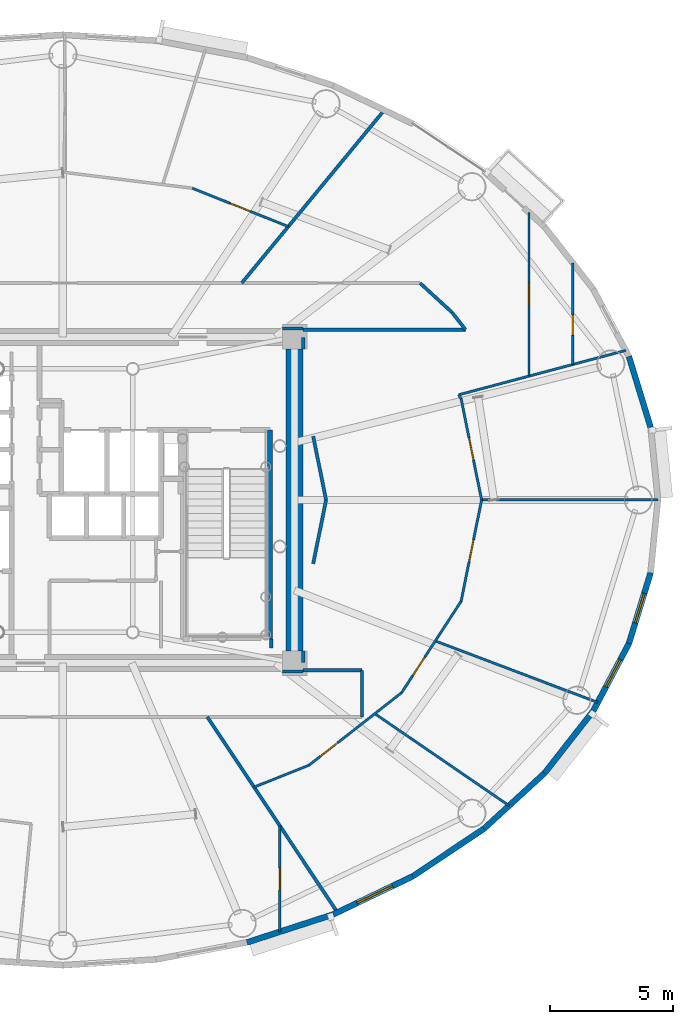
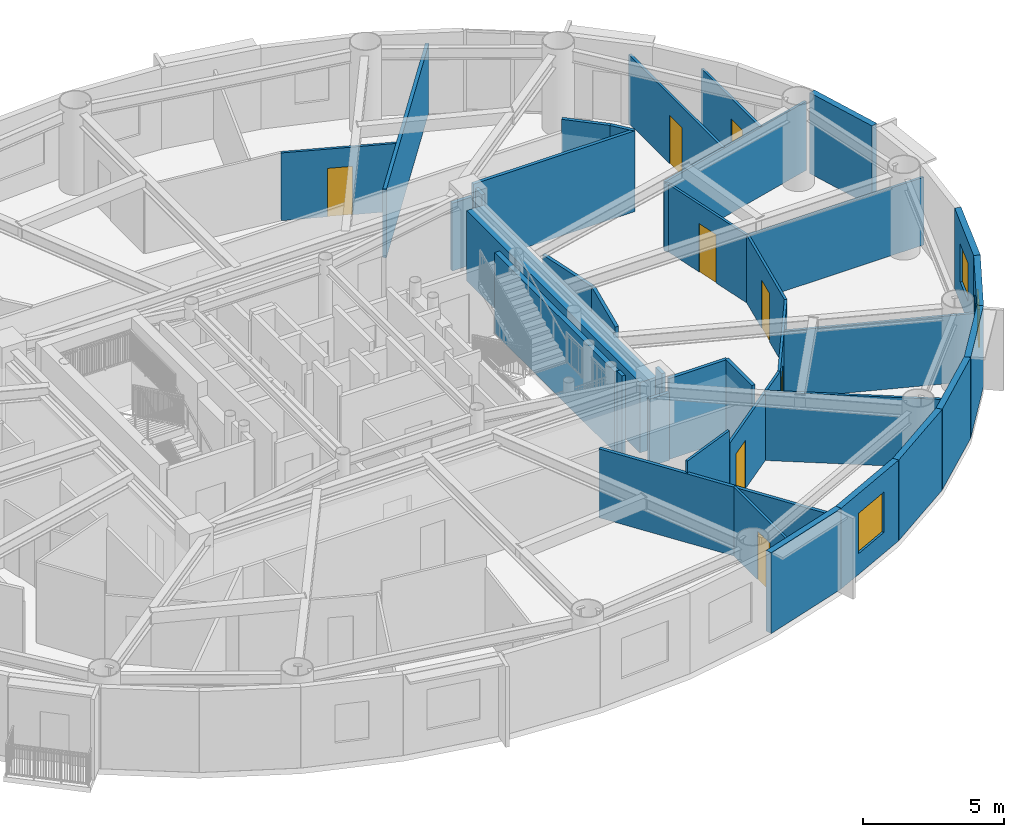
# One storey, part 11 of 19: 38 walls, 8 doors, 3 windows, 11 openings.
"""IFC4 building model written with IfcOpenShell, lengths in metres."""

from ifc_helpers import new_model, si_unit, direction, frame, frame_2d, origin, origin_2d, place, context, subcontext, project, spatial, rectangle, extrude, source, transform, mapped, material, layer, layer_set, type_object, element, fill, save


model = new_model("IFC4")

# Units and contexts
model_context = context("Model", 3, precision=1e-05, world=origin(), true_north=direction((0.0, 1.0)))
body_context = subcontext(model_context, "Body", "Model", "MODEL_VIEW")
ifc_project = project(units=[si_unit("LENGTHUNIT", "METRE"), si_unit("AREAUNIT", "SQUARE_METRE"), si_unit("VOLUMEUNIT", "CUBIC_METRE"), si_unit("PLANEANGLEUNIT", "RADIAN"), si_unit("MASSUNIT", "GRAM", prefix="KILO")], contexts=[model_context])

# Site, building, storey
site_placement = place(None, origin())
site = spatial("IfcSite", under=ifc_project, at=site_placement, CompositionType="ELEMENT")
building_placement = place(site_placement, origin())
building = spatial("IfcBuilding", under=site, at=building_placement, Name="Linh Dai School and Residence Tower", CompositionType="ELEMENT")
storey_placement = place(building_placement, frame((0.0, 0.0, 247.800048828125)))
storey = spatial("IfcBuildingStorey", under=building, at=storey_placement, Name="L61", CompositionType="ELEMENT", Elevation=247.800048828125)

# Walls
ifc_material_1 = material(Name="Precast Concrete B45 (C35/45)", Category="concrete")
ifc_layer_1 = layer(ifc_material_1, 0.239990234375)
ifc_layer_set_1 = layer_set([ifc_layer_1], Name="Precast Concrete B45 (C35/45)")
wall_type_1 = type_object("IfcWallType", Name="EW-TC-240", PredefinedType="SOLIDWALL", material=ifc_layer_set_1)
wall_1_placement = place(storey_placement, frame((59.09033203125, 32.85595703125, 0.0), z_axis=(0.0, 0.0, 1.0), x_axis=(0.293132907334, -0.95607170162, 0.0)))
element("IfcWall", 1, at=wall_1_placement, inside=storey, type_object=wall_type_1, Name="L61 Terracotta Exterior Wall 02", PredefinedType="SOLIDWALL", context=body_context, shape_type="SweptSolid", body=[
    extrude(rectangle(XDim=3.02490234375, YDim=0.239990234375, at=frame_2d((1.512451171875, 0.0))), origin(), (0.0, 0.0, 1.0), 3.5),
])
wall_2_placement = place(storey_placement, frame((47.031005859375, 10.093505859375, 0.0), z_axis=(0.0, 0.0, 1.0), x_axis=(-0.951210789182, -0.308541787354, 0.0)))
element("IfcWall", 2, at=wall_2_placement, inside=storey, type_object=wall_type_1, Name="L61 Terracotta Exterior Wall 33", PredefinedType="SOLIDWALL", context=body_context, shape_type="SweptSolid", body=[
    extrude(rectangle(XDim=3.702392578125, YDim=0.239990234375, at=frame_2d((1.85107421875, 0.0))), origin(), (0.0, 0.0, 1.0), 3.5),
])

# Wall, opening, window
wall_3_placement = place(storey_placement, frame((50.280029296875, 11.65234375, 0.0), z_axis=(0.0, 0.0, 1.0), x_axis=(-0.901598104751, -0.432574684313, 0.0)))
wall_3 = element("IfcWall", 3, at=wall_3_placement, inside=storey, type_object=wall_type_1, Name="L61 Terracotta Exterior Wall 34", PredefinedType="SOLIDWALL", context=body_context, shape_type="SweptSolid", body=[
    extrude(rectangle(XDim=3.603515625, YDim=0.239990234375, at=frame_2d((1.8017578125, 0.0))), origin(), (0.0, 0.0, 1.0), 3.5),
])
opening_1_placement = place(wall_3_placement, frame((0.9208984375, 0.0, 0.89990234375)))
opening_1 = element("IfcOpeningElement", 4, at=opening_1_placement, cuts=wall_3, Name="Opening W2", PredefinedType="OPENING", context=body_context, shape_type="SweptSolid", body=[
    extrude(rectangle(XDim=1.60009765625, YDim=1.75, at=origin_2d()), frame((0.800048828125, 0.1298828125, 0.875), z_axis=(0.0, -1.0, 0.0), x_axis=(1.0, 0.0, 0.0)), (0.0, 0.0, 1.0), 0.260009765625),
])
ifc_material_2 = material(Name="Double Low-E Insulated Glazing", Category="glass")
window_type_1 = type_object("IfcWindowType", Name="WN-RES-1600x1750", PartitioningType="DOUBLE_PANEL_VERTICAL", PredefinedType="WINDOW", material=ifc_material_2)
shared_shape_1 = source(origin(), body_context, "Body", "SweptSolid", [
    extrude(rectangle(XDim=1.60009765625, YDim=1.75, at=origin_2d()), frame((0.800048828125, 0.030029296875, 0.875), z_axis=(0.0, -1.0, 0.0), x_axis=(1.0, 0.0, 0.0)), (0.0, 0.0, 1.0), 0.06005859375),
])
window_1_placement = place(opening_1_placement, origin())
window_1 = element("IfcWindow", 5, at=window_1_placement, inside=storey, type_object=window_type_1, Name="L61 Exterior Window 34.1", OverallHeight=1.75, OverallWidth=1.60009765625, PartitioningType="DOUBLE_PANEL_VERTICAL", PredefinedType="WINDOW", context=body_context, shape_type="MappedRepresentation", body=[
    mapped(shared_shape_1, transform((0.0, 0.0, 0.0), x_axis=(1.0, 0.0, 0.0), y_axis=(0.0, 1.0, 0.0), z_axis=(0.0, 0.0, 1.0), scale=1.0)),
])
fill(opening_1, window_1)

# Walls
wall_4_placement = place(storey_placement, frame((53.17626953125, 13.589111328125, 0.0), z_axis=(0.0, 0.0, 1.0), x_axis=(-0.831262496074, -0.555880079352, 0.0)))
element("IfcWall", 6, at=wall_4_placement, inside=storey, type_object=wall_type_1, Name="L61 Terracotta Exterior Wall 35", PredefinedType="SOLIDWALL", context=body_context, shape_type="SweptSolid", body=[
    extrude(rectangle(XDim=3.484130859375, YDim=0.239990234375, at=frame_2d((1.7421875, 0.0))), origin(), (0.0, 0.0, 1.0), 3.5),
])
wall_5_placement = place(storey_placement, frame((55.6484375, 15.85546875, 0.0), z_axis=(0.0, 0.0, 1.0), x_axis=(-0.737123922599, -0.675757591694, 0.0)))
element("IfcWall", 7, at=wall_5_placement, inside=storey, type_object=wall_type_1, Name="L61 Terracotta Exterior Wall 36", PredefinedType="SOLIDWALL", context=body_context, shape_type="SweptSolid", body=[
    extrude(rectangle(XDim=3.353759765625, YDim=0.239990234375, at=frame_2d((1.6767578125, 0.0))), origin(), (0.0, 0.0, 1.0), 3.5),
])
wall_6_placement = place(storey_placement, frame((57.6357421875, 18.394775390625, 0.0), z_axis=(0.0, 0.0, 1.0), x_axis=(-0.616312344705, -0.787501805562, 0.0)))
element("IfcWall", 8, at=wall_6_placement, inside=storey, type_object=wall_type_1, Name="L61 Terracotta Exterior Wall 37", PredefinedType="SOLIDWALL", context=body_context, shape_type="SweptSolid", body=[
    extrude(rectangle(XDim=3.224609375, YDim=0.239990234375, at=frame_2d((1.6123046875, 0.0))), origin(), (0.0, 0.0, 1.0), 3.5),
])

# Wall, opening, window
wall_7_placement = place(storey_placement, frame((59.09033203125, 21.14404296875, 0.0), z_axis=(0.0, 0.0, 1.0), x_axis=(-0.46766049993, -0.883908172157, 0.0)))
wall_7 = element("IfcWall", 9, at=wall_7_placement, inside=storey, type_object=wall_type_1, Name="L61 Terracotta Exterior Wall 38", PredefinedType="SOLIDWALL", context=body_context, shape_type="SweptSolid", body=[
    extrude(rectangle(XDim=3.1103515625, YDim=0.239990234375, at=frame_2d((1.55517578125, 0.0))), origin(), (0.0, 0.0, 1.0), 3.5),
])
opening_2_placement = place(wall_7_placement, frame((0.747802734375, 0.0, 0.89990234375)))
opening_2 = element("IfcOpeningElement", 10, at=opening_2_placement, cuts=wall_7, Name="Opening W3", PredefinedType="OPENING", context=body_context, shape_type="SweptSolid", body=[
    extrude(rectangle(XDim=1.25, YDim=1.64990234375, at=origin_2d()), frame((0.625, 0.1298828125, 0.824951171875), z_axis=(0.0, -1.0, 0.0), x_axis=(1.0, 0.0, 0.0)), (0.0, 0.0, 1.0), 0.260009765625),
])
window_type_2 = type_object("IfcWindowType", Name="WN-RES-1250x1650", PartitioningType="SINGLE_PANEL", PredefinedType="WINDOW", material=ifc_material_2)
shared_shape_2 = source(origin(), body_context, "Body", "SweptSolid", [
    extrude(rectangle(XDim=1.25, YDim=1.64990234375, at=origin_2d()), frame((0.625, 0.030029296875, 0.824951171875), z_axis=(0.0, -1.0, 0.0), x_axis=(1.0, 0.0, 0.0)), (0.0, 0.0, 1.0), 0.06005859375),
])
window_2_placement = place(opening_2_placement, origin())
window_2 = element("IfcWindow", 11, at=window_2_placement, inside=storey, type_object=window_type_2, Name="L61 Exterior Window 38.1", OverallHeight=1.64990234375, OverallWidth=1.25, PartitioningType="SINGLE_PANEL", PredefinedType="WINDOW", context=body_context, shape_type="MappedRepresentation", body=[
    mapped(shared_shape_2, transform((0.0, 0.0, 0.0), x_axis=(1.0, 0.0, 0.0), y_axis=(0.0, 1.0, 0.0), z_axis=(0.0, 0.0, 1.0), scale=1.0)),
])
fill(opening_2, window_2)

wall_8_placement = place(storey_placement, frame((59.97705078125, 24.0361328125, 0.0), z_axis=(0.0, 0.0, 1.0), x_axis=(-0.293132907334, -0.95607170162, 0.0)))
wall_8 = element("IfcWall", 12, at=wall_8_placement, inside=storey, type_object=wall_type_1, Name="L61 Terracotta Exterior Wall 39", PredefinedType="SOLIDWALL", context=body_context, shape_type="SweptSolid", body=[
    extrude(rectangle(XDim=3.02490234375, YDim=0.239990234375, at=frame_2d((1.512451171875, 0.0))), origin(), (0.0, 0.0, 1.0), 3.5),
])
opening_3_placement = place(wall_8_placement, frame((0.887451171875, 0.0, 0.89990234375)))
opening_3 = element("IfcOpeningElement", 13, at=opening_3_placement, cuts=wall_8, Name="Opening W3", PredefinedType="OPENING", context=body_context, shape_type="SweptSolid", body=[
    extrude(rectangle(XDim=1.25, YDim=1.64990234375, at=origin_2d()), frame((0.625, 0.1298828125, 0.824951171875), z_axis=(0.0, -1.0, 0.0), x_axis=(1.0, 0.0, 0.0)), (0.0, 0.0, 1.0), 0.260009765625),
])
window_3_placement = place(opening_3_placement, origin())
window_3 = element("IfcWindow", 14, at=window_3_placement, inside=storey, type_object=window_type_2, Name="L61 Exterior Window 39.1", OverallHeight=1.64990234375, OverallWidth=1.25, PartitioningType="SINGLE_PANEL", PredefinedType="WINDOW", context=body_context, shape_type="MappedRepresentation", body=[
    mapped(shared_shape_2, transform((0.0, 0.0, 0.0), x_axis=(1.0, 0.0, 0.0), y_axis=(0.0, 1.0, 0.0), z_axis=(0.0, 0.0, 1.0), scale=1.0)),
])
fill(opening_3, window_3)

# Walls
ifc_material_3 = material(Name="Autoclaved Aerated Concrete Blockwork", Category="masonry")
ifc_layer_2 = layer(ifc_material_3, 0.135009765625)
ifc_layer_set_2 = layer_set([ifc_layer_2], Name="Autoclaved Aerated Concrete Blockwork")
wall_type_2 = type_object("IfcWallType", Name="IW-CORR-135-EI90", PredefinedType="PARTITIONING", material=ifc_layer_set_2)
wall_9_placement = place(storey_placement, frame((41.8916015625, 18.14990234375, 0.0), z_axis=(0.0, 0.0, 1.0), x_axis=(0.554159347899, -0.832410606093, 0.0)))
element("IfcWall", 15, at=wall_9_placement, inside=storey, type_object=wall_type_2, Name="L61 Interior Partition Wall 064", PredefinedType="PARTITIONING", context=body_context, shape_type="SweptSolid", body=[
    extrude(rectangle(XDim=9.585693359375, YDim=0.135009765625, at=frame_2d((4.79296875, 0.0))), origin(), (0.0, 0.0, 1.0), 2.98486328125),
])
wall_10_placement = place(storey_placement, frame((43.29541015625, 35.85009765625, 0.0), z_axis=(0.0, 0.0, 1.0), x_axis=(0.636076542552, 0.771625966395, 0.0)))
element("IfcWall", 16, at=wall_10_placement, inside=storey, type_object=wall_type_2, Name="L61 Interior Partition Wall 065", PredefinedType="PARTITIONING", context=body_context, shape_type="SweptSolid", body=[
    extrude(rectangle(XDim=9.1513671875, YDim=0.135009765625, at=frame_2d((4.57568359375, 0.0))), origin(), (0.0, 0.0, 1.0), 2.98486328125),
])
wall_11_placement = place(storey_placement, frame((45.800048828125, 20.050048828125, 0.0), z_axis=(0.0, 0.0, 1.0), x_axis=(1.0, 0.0, 0.0)))
element("IfcWall", 17, at=wall_11_placement, inside=storey, type_object=wall_type_2, Name="L61 Interior Partition Wall 069", PredefinedType="PARTITIONING", context=body_context, shape_type="SweptSolid", body=[
    extrude(rectangle(XDim=2.39990234375, YDim=0.135009765625, at=frame_2d((1.199951171875, 0.0))), origin(), (0.0, 0.0, 1.0), 3.5),
])
wall_12_placement = place(storey_placement, frame((45.800048828125, 33.949951171875, 0.0), z_axis=(0.0, 0.0, 1.0), x_axis=(1.0, 0.0, 0.0)))
element("IfcWall", 18, at=wall_12_placement, inside=storey, type_object=wall_type_2, Name="L61 Interior Partition Wall 070", PredefinedType="PARTITIONING", context=body_context, shape_type="SweptSolid", body=[
    extrude(rectangle(XDim=6.623779296875, YDim=0.135009765625, at=frame_2d((3.31201171875, 0.0))), origin(), (0.0, 0.0, 1.0), 3.5),
])
wall_13_placement = place(storey_placement, frame((48.199951171875, 18.14990234375, 0.0), z_axis=(0.0, 0.0, 1.0), x_axis=(0.0, 1.0, 0.0)))
element("IfcWall", 19, at=wall_13_placement, inside=storey, type_object=wall_type_2, Name="L61 Interior Partition Wall 072", PredefinedType="PARTITIONING", context=body_context, shape_type="SweptSolid", body=[
    extrude(rectangle(XDim=1.900146484375, YDim=0.135009765625, at=frame_2d((0.9501953125, 0.0))), origin(), (0.0, 0.0, 1.0), 3.5),
])
wall_14_placement = place(storey_placement, frame((50.56787109375, 35.85009765625, 0.0), z_axis=(0.0, 0.0, 1.0), x_axis=(0.737102657331, -0.675780787353, 0.0)))
element("IfcWall", 20, at=wall_14_placement, inside=storey, type_object=wall_type_2, Name="L61 Interior Partition Wall 075", PredefinedType="PARTITIONING", context=body_context, shape_type="SweptSolid", body=[
    extrude(rectangle(XDim=1.771728515625, YDim=0.135009765625, at=frame_2d((0.8857421875, 0.0))), origin(), (0.0, 0.0, 1.0), 3.5),
])
wall_15_placement = place(storey_placement, frame((51.873779296875, 34.65283203125, 0.0), z_axis=(0.0, 0.0, 1.0), x_axis=(0.61628613448, -0.787522317429, 0.0)))
element("IfcWall", 21, at=wall_15_placement, inside=storey, type_object=wall_type_2, Name="L61 Interior Partition Wall 077", PredefinedType="PARTITIONING", context=body_context, shape_type="SweptSolid", body=[
    extrude(rectangle(XDim=0.892578125, YDim=0.135009765625, at=frame_2d((0.4462890625, 0.0))), origin(), (0.0, 0.0, 1.0), 3.5),
])
wall_16_placement = place(storey_placement, frame((44.5, 20.9599609375, 0.0), z_axis=(0.0, 0.0, 1.0), x_axis=(0.0, 1.0, 0.0)))
element("IfcWall", 22, at=wall_16_placement, inside=storey, type_object=wall_type_2, Name="L61 Interior Partition Wall 089", PredefinedType="PARTITIONING", context=body_context, shape_type="SweptSolid", body=[
    extrude(rectangle(XDim=0.360107421875, YDim=0.135009765625, at=frame_2d((0.18017578125, 0.0))), origin(), (0.0, 0.0, 1.0), 3.5),
])
for number, where, z_axis, x_axis, name in (
    (23, (45.7900390625, 34.0, 0.0), (0.0, 0.0, 1.0), (-1.0, 0.0, 0.0), "L61 Interior Partition Wall 091"),
    (24, (44.9599609375, 20.0, 0.0), (0.0, 0.0, 1.0), (1.0, 0.0, 0.0), "L61 Interior Partition Wall 096"),
):
    element("IfcWall", number, at=place(storey_placement, frame(where, z_axis=z_axis, x_axis=x_axis)), inside=storey, type_object=wall_type_2, Name=name, PredefinedType="PARTITIONING", context=body_context, shape_type="SweptSolid", body=[
        extrude(rectangle(XDim=0.830078125, YDim=0.135009765625, at=frame_2d((0.4150390625, 0.0))), origin(), (0.0, 0.0, 1.0), 2.93505859375),
    ])
wall_17_placement = place(storey_placement, frame((45.800048828125, 20.37744140625, 0.0), z_axis=(0.0, 0.0, 1.0), x_axis=(0.0, 1.0, 0.0)))
element("IfcWall", 25, at=wall_17_placement, inside=storey, type_object=wall_type_2, Name="L61 Interior Partition Wall 097", PredefinedType="PARTITIONING", context=body_context, shape_type="SweptSolid", body=[
    extrude(rectangle(XDim=0.462646484375, YDim=0.135009765625, at=frame_2d((0.2314453125, 0.0))), origin(), (0.0, 0.0, 1.0), 3.5),
])
for number, where, z_axis, x_axis, name in (
    (26, (46.21044921875, 24.40234375, 0.0), (0.0, 0.0, 1.0), (0.198330009585, 0.980135300506, 0.0), "L61 Interior Partition Wall 098"),
    (27, (46.736083984375, 27.0, 0.0), (0.0, 0.0, 1.0), (-0.198330009585, 0.980135300506, 0.0), "L61 Interior Partition Wall 099"),
):
    element("IfcWall", number, at=place(storey_placement, frame(where, z_axis=z_axis, x_axis=x_axis)), inside=storey, type_object=wall_type_2, Name=name, PredefinedType="PARTITIONING", context=body_context, shape_type="SweptSolid", body=[
        extrude(rectangle(XDim=2.650390625, YDim=0.135009765625, at=frame_2d((1.3251953125, 0.0))), origin(), (0.0, 0.0, 1.0), 2.93505859375),
    ])
wall_18_placement = place(storey_placement, frame((45.800048828125, 33.159912109375, 0.0), z_axis=(0.0, 0.0, 1.0), x_axis=(0.0, 1.0, 0.0)))
element("IfcWall", 28, at=wall_18_placement, inside=storey, type_object=wall_type_2, Name="L61 Interior Partition Wall 100", PredefinedType="PARTITIONING", context=body_context, shape_type="SweptSolid", body=[
    extrude(rectangle(XDim=0.462646484375, YDim=0.135009765625, at=frame_2d((0.2314453125, 0.0))), origin(), (0.0, 0.0, 1.0), 3.5),
])
ifc_material_4 = material(Name="Concrete B45 (C35/45)", Category="concrete")
ifc_layer_3 = layer(ifc_material_4, 0.199951171875)
ifc_layer_set_3 = layer_set([ifc_layer_3], Name="Concrete B45 (C35/45)")
wall_type_3 = type_object("IfcWallType", Name="IW-SHAFT-200-EI120", PredefinedType="PARTITIONING", material=ifc_layer_set_3)
wall_19_placement = place(storey_placement, frame((44.43994140625, 21.330078125, 0.0), z_axis=(0.0, 0.0, 1.0), x_axis=(0.0, 1.0, 0.0)))
element("IfcWall", 29, at=wall_19_placement, inside=storey, type_object=wall_type_3, Name="L61 Interior Partition Wall 067", PredefinedType="PARTITIONING", context=body_context, shape_type="SweptSolid", body=[
    extrude(rectangle(XDim=8.52001953125, YDim=0.199951171875, at=frame_2d((4.260009765625, 0.0))), origin(), (0.0, 0.0, 1.0), 3.5),
])

# Wall, opening, door
ifc_material_5 = material(Name="Gypsum Plasterboard Acoustic Stud Partition", Category="masonry")
ifc_layer_4 = layer(ifc_material_5, 0.10009765625)
ifc_layer_set_4 = layer_set([ifc_layer_4], Name="Gypsum Plasterboard Acoustic Stud Partition")
wall_type_4 = type_object("IfcWallType", Name="IW-UNIT-100", PredefinedType="PARTITIONING", material=ifc_layer_set_4)
wall_20_placement = place(storey_placement, frame((41.278076171875, 39.718994140625, 0.0), z_axis=(0.0, 0.0, 1.0), x_axis=(0.928799648329, -0.370582262478, 0.0)))
wall_20 = element("IfcWall", 30, at=wall_20_placement, inside=storey, type_object=wall_type_4, Name="L61 Interior Partition Wall 063", PredefinedType="PARTITIONING", context=body_context, shape_type="SweptSolid", body=[
    extrude(rectangle(XDim=4.21826171875, YDim=0.10009765625, at=frame_2d((2.109130859375, 0.0))), origin(), (0.0, 0.0, 1.0), 2.93505859375),
])
opening_4_placement = place(wall_20_placement, frame((1.6591796875, 0.0, 0.0)))
opening_4 = element("IfcOpeningElement", 31, at=opening_4_placement, cuts=wall_20, Name="Opening D05", PredefinedType="OPENING", context=body_context, shape_type="SweptSolid", body=[
    extrude(rectangle(XDim=0.89990234375, YDim=2.10009765625, at=origin_2d()), frame((0.449951171875, 0.06005859375, 1.050048828125), z_axis=(0.0, -1.0, 0.0), x_axis=(1.0, 0.0, 0.0)), (0.0, 0.0, 1.0), 0.1201171875),
])
ifc_material_6 = material(Name="Engineered Timber Internal Door", Category="wood")
door_type_1 = type_object("IfcDoorType", Name="DR-INT-900x2100", OperationType="NOTDEFINED", PredefinedType="DOOR", material=ifc_material_6)
shared_shape_3 = source(origin(), body_context, "Body", "SweptSolid", [
    extrude(rectangle(XDim=0.89990234375, YDim=2.10009765625, at=origin_2d()), frame((0.449951171875, 0.02490234375, 1.050048828125), z_axis=(0.0, -1.0, 0.0), x_axis=(1.0, 0.0, 0.0)), (0.0, 0.0, 1.0), 0.050048828125),
])
door_1_placement = place(opening_4_placement, origin())
door_1 = element("IfcDoor", 32, at=door_1_placement, inside=storey, type_object=door_type_1, Name="L61 Apartment U6104 Principal Bedroom 1 Door", OperationType="SINGLE_SWING_LEFT", OverallHeight=2.10009765625, OverallWidth=0.89990234375, PredefinedType="DOOR", context=body_context, shape_type="MappedRepresentation", body=[
    mapped(shared_shape_3, transform((0.0, 0.0, 0.0), x_axis=(1.0, 0.0, 0.0), y_axis=(0.0, 1.0, 0.0), z_axis=(0.0, 0.0, 1.0), scale=1.0)),
])
fill(opening_4, door_1)

# Wall
wall_21_placement = place(storey_placement, frame((43.798095703125, 15.286376953125, 0.0), z_axis=(0.0, 0.0, 1.0), x_axis=(0.928790351735, 0.370605561918, 0.0)))
element("IfcWall", 33, at=wall_21_placement, inside=storey, type_object=wall_type_4, Name="L61 Interior Partition Wall 066", PredefinedType="PARTITIONING", context=body_context, shape_type="SweptSolid", body=[
    extrude(rectangle(XDim=2.4130859375, YDim=0.10009765625, at=frame_2d((1.20654296875, 0.0))), origin(), (0.0, 0.0, 1.0), 3.5),
])

# Wall, opening, door
wall_22_placement = place(storey_placement, frame((44.8525390625, 9.381591796875, 0.0), z_axis=(0.0, 0.0, 1.0), x_axis=(0.0, 1.0, 0.0)))
wall_22 = element("IfcWall", 34, at=wall_22_placement, inside=storey, type_object=wall_type_4, Name="L61 Interior Partition Wall 068", PredefinedType="PARTITIONING", context=body_context, shape_type="SweptSolid", body=[
    extrude(rectangle(XDim=4.32080078125, YDim=0.10009765625, at=frame_2d((2.160400390625, 0.0))), origin(), (0.0, 0.0, 1.0), 2.98486328125),
])
opening_5_placement = place(wall_22_placement, frame((1.710205078125, 0.0, 0.0)))
opening_5 = element("IfcOpeningElement", 35, at=opening_5_placement, cuts=wall_22, Name="Opening D05", PredefinedType="OPENING", context=body_context, shape_type="SweptSolid", body=[
    extrude(rectangle(XDim=0.89990234375, YDim=2.10009765625, at=origin_2d()), frame((0.449951171875, 0.06005859375, 1.050048828125), z_axis=(0.0, -1.0, 0.0), x_axis=(1.0, 0.0, 0.0)), (0.0, 0.0, 1.0), 0.1201171875),
])
door_2_placement = place(opening_5_placement, origin())
door_2 = element("IfcDoor", 36, at=door_2_placement, inside=storey, type_object=door_type_1, Name="L61 Apartment U6102 Kitchen Door", OperationType="SINGLE_SWING_RIGHT", OverallHeight=2.10009765625, OverallWidth=0.89990234375, PredefinedType="DOOR", context=body_context, shape_type="MappedRepresentation", body=[
    mapped(shared_shape_3, transform((0.0, 0.0, 0.0), x_axis=(1.0, 0.0, 0.0), y_axis=(0.0, 1.0, 0.0), z_axis=(0.0, 0.0, 1.0), scale=1.0)),
])
fill(opening_5, door_2)

wall_23_placement = place(storey_placement, frame((46.039306640625, 16.1806640625, 0.0), z_axis=(0.0, 0.0, 1.0), x_axis=(0.787367569585, 0.616483828147, 0.0)))
wall_23 = element("IfcWall", 37, at=wall_23_placement, inside=storey, type_object=wall_type_4, Name="L61 Interior Partition Wall 071", PredefinedType="PARTITIONING", context=body_context, shape_type="SweptSolid", body=[
    extrude(rectangle(XDim=4.799072265625, YDim=0.10009765625, at=frame_2d((2.3994140625, 0.0))), origin(), (0.0, 0.0, 1.0), 2.93505859375),
])
opening_6_placement = place(wall_23_placement, frame((0.581787109375, 0.0, 0.0)))
opening_6 = element("IfcOpeningElement", 38, at=opening_6_placement, cuts=wall_23, Name="Opening D05", PredefinedType="OPENING", context=body_context, shape_type="SweptSolid", body=[
    extrude(rectangle(XDim=0.89990234375, YDim=2.10009765625, at=origin_2d()), frame((0.449951171875, 0.06005859375, 1.050048828125), z_axis=(0.0, -1.0, 0.0), x_axis=(1.0, 0.0, 0.0)), (0.0, 0.0, 1.0), 0.1201171875),
])
door_3_placement = place(opening_6_placement, origin())
door_3 = element("IfcDoor", 39, at=door_3_placement, inside=storey, type_object=door_type_1, Name="L61 Apartment U6103 Principal Bedroom 1 Door", OperationType="SINGLE_SWING_RIGHT", OverallHeight=2.10009765625, OverallWidth=0.89990234375, PredefinedType="DOOR", context=body_context, shape_type="MappedRepresentation", body=[
    mapped(shared_shape_3, transform((0.0, 0.0, 0.0), x_axis=(1.0, 0.0, 0.0), y_axis=(0.0, 1.0, 0.0), z_axis=(0.0, 0.0, 1.0), scale=1.0)),
])
fill(opening_6, door_3)

# Wall
wall_24_placement = place(storey_placement, frame((48.72412109375, 18.28271484375, 0.0), z_axis=(0.0, 0.0, 1.0), x_axis=(0.824946647061, -0.565210606325, 0.0)))
element("IfcWall", 40, at=wall_24_placement, inside=storey, type_object=wall_type_4, Name="L61 Interior Partition Wall 073", PredefinedType="PARTITIONING", context=body_context, shape_type="SweptSolid", body=[
    extrude(rectangle(XDim=6.6455078125, YDim=0.10009765625, at=frame_2d((3.32275390625, 0.0))), origin(), (0.0, 0.0, 1.0), 2.98486328125),
])

# Wall, opening, door
wall_25_placement = place(storey_placement, frame((49.818115234375, 19.13916015625, 0.0), z_axis=(0.0, 0.0, 1.0), x_axis=(0.545406924684, 0.83817139447, 0.0)))
wall_25 = element("IfcWall", 41, at=wall_25_placement, inside=storey, type_object=wall_type_4, Name="L61 Interior Partition Wall 074", PredefinedType="PARTITIONING", context=body_context, shape_type="SweptSolid", body=[
    extrude(rectangle(XDim=4.447998046875, YDim=0.10009765625, at=frame_2d((2.22412109375, 0.0))), origin(), (0.0, 0.0, 1.0), 2.93505859375),
])
opening_7_placement = place(wall_25_placement, frame((0.8291015625, 0.0, 0.0)))
opening_7 = element("IfcOpeningElement", 42, at=opening_7_placement, cuts=wall_25, Name="Opening D05", PredefinedType="OPENING", context=body_context, shape_type="SweptSolid", body=[
    extrude(rectangle(XDim=0.89990234375, YDim=2.10009765625, at=origin_2d()), frame((0.449951171875, 0.06005859375, 1.050048828125), z_axis=(0.0, -1.0, 0.0), x_axis=(1.0, 0.0, 0.0)), (0.0, 0.0, 1.0), 0.1201171875),
])
door_4_placement = place(opening_7_placement, origin())
door_4 = element("IfcDoor", 43, at=door_4_placement, inside=storey, type_object=door_type_1, Name="L61 Apartment U6103 Study Door", OperationType="SINGLE_SWING_LEFT", OverallHeight=2.10009765625, OverallWidth=0.89990234375, PredefinedType="DOOR", context=body_context, shape_type="MappedRepresentation", body=[
    mapped(shared_shape_3, transform((0.0, 0.0, 0.0), x_axis=(1.0, 0.0, 0.0), y_axis=(0.0, 1.0, 0.0), z_axis=(0.0, 0.0, 1.0), scale=1.0)),
])
fill(opening_7, door_4)

# Walls
wall_26_placement = place(storey_placement, frame((51.191650390625, 21.25, 0.0), z_axis=(0.0, 0.0, 1.0), x_axis=(0.935252375815, -0.353981628806, 0.0)))
element("IfcWall", 44, at=wall_26_placement, inside=storey, type_object=wall_type_4, Name="L61 Interior Partition Wall 076", PredefinedType="PARTITIONING", context=body_context, shape_type="SweptSolid", body=[
    extrude(rectangle(XDim=7.091552734375, YDim=0.10009765625, at=frame_2d((3.5458984375, 0.0))), origin(), (0.0, 0.0, 1.0), 2.93505859375),
])
wall_27_placement = place(storey_placement, frame((52.1416015625, 31.290283203125, 0.0), z_axis=(0.0, 0.0, 1.0), x_axis=(0.545079581712, -0.838384309014, 0.0)))
element("IfcWall", 45, at=wall_27_placement, inside=storey, type_object=wall_type_4, Name="L61 Interior Partition Wall 078", PredefinedType="PARTITIONING", context=body_context, shape_type="SweptSolid", body=[
    extrude(rectangle(XDim=0.188232421875, YDim=0.10009765625, at=frame_2d((0.09423828125, 0.0))), origin(), (0.0, 0.0, 1.0), 2.93505859375),
])
wall_28_placement = place(storey_placement, frame((52.1416015625, 31.290283203125, 0.0), z_axis=(0.0, 0.0, 1.0), x_axis=(0.966448115653, 0.256861907939, 0.0)))
element("IfcWall", 46, at=wall_28_placement, inside=storey, type_object=wall_type_4, Name="L61 Interior Partition Wall 079", PredefinedType="PARTITIONING", context=body_context, shape_type="SweptSolid", body=[
    extrude(rectangle(XDim=7.06005859375, YDim=0.10009765625, at=frame_2d((3.530029296875, 0.0))), origin(), (0.0, 0.0, 1.0), 2.98486328125),
])

# Wall, opening, door
wall_29_placement = place(storey_placement, frame((52.244140625, 22.867431640625, 0.0), z_axis=(0.0, 0.0, 1.0), x_axis=(0.198264809747, 0.980148491411, 0.0)))
wall_29 = element("IfcWall", 47, at=wall_29_placement, inside=storey, type_object=wall_type_4, Name="L61 Interior Partition Wall 080", PredefinedType="PARTITIONING", context=body_context, shape_type="SweptSolid", body=[
    extrude(rectangle(XDim=4.21630859375, YDim=0.10009765625, at=frame_2d((2.108154296875, 0.0))), origin(), (0.0, 0.0, 1.0), 2.93505859375),
])
opening_8_placement = place(wall_29_placement, frame((1.658203125, 0.0, 0.0)))
opening_8 = element("IfcOpeningElement", 48, at=opening_8_placement, cuts=wall_29, Name="Opening D05", PredefinedType="OPENING", context=body_context, shape_type="SweptSolid", body=[
    extrude(rectangle(XDim=0.89990234375, YDim=2.10009765625, at=origin_2d()), frame((0.449951171875, 0.06005859375, 1.050048828125), z_axis=(0.0, -1.0, 0.0), x_axis=(1.0, 0.0, 0.0)), (0.0, 0.0, 1.0), 0.1201171875),
])
door_5_placement = place(opening_8_placement, origin())
door_5 = element("IfcDoor", 49, at=door_5_placement, inside=storey, type_object=door_type_1, Name="L61 Apartment U6103 Principal Bedroom 2 Door", OperationType="SINGLE_SWING_RIGHT", OverallHeight=2.10009765625, OverallWidth=0.89990234375, PredefinedType="DOOR", context=body_context, shape_type="MappedRepresentation", body=[
    mapped(shared_shape_3, transform((0.0, 0.0, 0.0), x_axis=(1.0, 0.0, 0.0), y_axis=(0.0, 1.0, 0.0), z_axis=(0.0, 0.0, 1.0), scale=1.0)),
])
fill(opening_8, door_5)

wall_30_placement = place(storey_placement, frame((52.244140625, 31.132568359375, 0.0), z_axis=(0.0, 0.0, 1.0), x_axis=(0.198259251193, -0.980149615781, 0.0)))
wall_30 = element("IfcWall", 50, at=wall_30_placement, inside=storey, type_object=wall_type_4, Name="L61 Interior Partition Wall 081", PredefinedType="PARTITIONING", context=body_context, shape_type="SweptSolid", body=[
    extrude(rectangle(XDim=4.205322265625, YDim=0.10009765625, at=frame_2d((2.1025390625, 0.0))), origin(), (0.0, 0.0, 1.0), 2.93505859375),
])
opening_9_placement = place(wall_30_placement, frame((1.652587890625, 0.0, 0.0)))
opening_9 = element("IfcOpeningElement", 51, at=opening_9_placement, cuts=wall_30, Name="Opening D05", PredefinedType="OPENING", context=body_context, shape_type="SweptSolid", body=[
    extrude(rectangle(XDim=0.89990234375, YDim=2.10009765625, at=origin_2d()), frame((0.449951171875, 0.06005859375, 1.050048828125), z_axis=(0.0, -1.0, 0.0), x_axis=(1.0, 0.0, 0.0)), (0.0, 0.0, 1.0), 0.1201171875),
])
door_6_placement = place(opening_9_placement, origin())
door_6 = element("IfcDoor", 52, at=door_6_placement, inside=storey, type_object=door_type_1, Name="L61 Apartment U6103 Private Salon Door", OperationType="SINGLE_SWING_LEFT", OverallHeight=2.10009765625, OverallWidth=0.89990234375, PredefinedType="DOOR", context=body_context, shape_type="MappedRepresentation", body=[
    mapped(shared_shape_3, transform((0.0, 0.0, 0.0), x_axis=(1.0, 0.0, 0.0), y_axis=(0.0, 1.0, 0.0), z_axis=(0.0, 0.0, 1.0), scale=1.0)),
])
fill(opening_9, door_6)

# Wall
wall_31_placement = place(storey_placement, frame((53.082275390625, 27.0107421875, 0.0), z_axis=(0.0, 0.0, 1.0), x_axis=(0.999999792251, 0.000644592077, 0.0)))
element("IfcWall", 53, at=wall_31_placement, inside=storey, type_object=wall_type_4, Name="L61 Interior Partition Wall 082", PredefinedType="PARTITIONING", context=body_context, shape_type="SweptSolid", body=[
    extrude(rectangle(XDim=7.1962890625, YDim=0.10009765625, at=frame_2d((3.59814453125, 0.0))), origin(), (0.0, 0.0, 1.0), 2.93505859375),
])

# Wall, opening, door
wall_32_placement = place(storey_placement, frame((55.013671875, 32.053466796875, 0.0), z_axis=(0.0, 0.0, 1.0), x_axis=(0.0, 1.0, 0.0)))
wall_32 = element("IfcWall", 54, at=wall_32_placement, inside=storey, type_object=wall_type_4, Name="L61 Interior Partition Wall 083", PredefinedType="PARTITIONING", context=body_context, shape_type="SweptSolid", body=[
    extrude(rectangle(XDim=6.6796875, YDim=0.10009765625, at=frame_2d((3.33984375, 0.0))), origin(), (0.0, 0.0, 1.0), 2.98486328125),
])
opening_10_placement = place(wall_32_placement, frame((2.889892578125, 0.0, 0.0)))
opening_10 = element("IfcOpeningElement", 55, at=opening_10_placement, cuts=wall_32, Name="Opening D05", PredefinedType="OPENING", context=body_context, shape_type="SweptSolid", body=[
    extrude(rectangle(XDim=0.89990234375, YDim=2.10009765625, at=origin_2d()), frame((0.449951171875, 0.06005859375, 1.050048828125), z_axis=(0.0, -1.0, 0.0), x_axis=(1.0, 0.0, 0.0)), (0.0, 0.0, 1.0), 0.1201171875),
])
door_7_placement = place(opening_10_placement, origin())
door_7 = element("IfcDoor", 56, at=door_7_placement, inside=storey, type_object=door_type_1, Name="L61 Apartment U6103 Kitchen Door", OperationType="SINGLE_SWING_RIGHT", OverallHeight=2.10009765625, OverallWidth=0.89990234375, PredefinedType="DOOR", context=body_context, shape_type="MappedRepresentation", body=[
    mapped(shared_shape_3, transform((0.0, 0.0, 0.0), x_axis=(1.0, 0.0, 0.0), y_axis=(0.0, 1.0, 0.0), z_axis=(0.0, 0.0, 1.0), scale=1.0)),
])
fill(opening_10, door_7)

wall_33_placement = place(storey_placement, frame((56.802978515625, 32.529052734375, 0.0), z_axis=(0.0, 0.0, 1.0), x_axis=(0.0, 1.0, 0.0)))
wall_33 = element("IfcWall", 57, at=wall_33_placement, inside=storey, type_object=wall_type_4, Name="L61 Interior Partition Wall 084", PredefinedType="PARTITIONING", context=body_context, shape_type="SweptSolid", body=[
    extrude(rectangle(XDim=4.148193359375, YDim=0.10009765625, at=frame_2d((2.07421875, 0.0))), origin(), (0.0, 0.0, 1.0), 2.98486328125),
])
opening_11_placement = place(wall_33_placement, frame((1.200927734375, 0.0, 0.0)))
opening_11 = element("IfcOpeningElement", 58, at=opening_11_placement, cuts=wall_33, Name="Opening D06", PredefinedType="OPENING", context=body_context, shape_type="SweptSolid", body=[
    extrude(rectangle(XDim=0.820068359375, YDim=2.10009765625, at=origin_2d()), frame((0.41015625, 0.06005859375, 1.050048828125), z_axis=(0.0, -1.0, 0.0), x_axis=(1.0, 0.0, 0.0)), (0.0, 0.0, 1.0), 0.1201171875),
])
ifc_material_7 = material(Name="Moisture-Resistant Timber Bathroom Door", Category="wood")
door_type_2 = type_object("IfcDoorType", Name="DR-WET-820x2100", OperationType="NOTDEFINED", PredefinedType="DOOR", material=ifc_material_7)
shared_shape_4 = source(origin(), body_context, "Body", "SweptSolid", [
    extrude(rectangle(XDim=0.820068359375, YDim=2.10009765625, at=origin_2d()), frame((0.41015625, 0.02490234375, 1.050048828125), z_axis=(0.0, -1.0, 0.0), x_axis=(1.0, 0.0, 0.0)), (0.0, 0.0, 1.0), 0.050048828125),
])
door_8_placement = place(opening_11_placement, origin())
door_8 = element("IfcDoor", 59, at=door_8_placement, inside=storey, type_object=door_type_2, Name="L61 Apartment U6103 Bathroom 1 Door", OperationType="SINGLE_SWING_LEFT", OverallHeight=2.10009765625, OverallWidth=0.820068359375, PredefinedType="DOOR", context=body_context, shape_type="MappedRepresentation", body=[
    mapped(shared_shape_4, transform((0.0, 0.0, 0.0), x_axis=(1.0, 0.0, 0.0), y_axis=(0.0, 1.0, 0.0), z_axis=(0.0, 0.0, 1.0), scale=1.0)),
])
fill(opening_11, door_8)

# Wall
ifc_layer_5 = layer(ifc_material_4, 0.699951171875)
ifc_layer_set_5 = layer_set([ifc_layer_5], Name="Concrete B45 (C35/45)")
wall_type_5 = type_object("IfcWallType", Name="WL-CORE700", PredefinedType="SHEAR", material=ifc_layer_set_5)
wall_34_placement = place(storey_placement, frame((45.449951171875, 33.14990234375, 0.0), z_axis=(0.0, 0.0, 1.0), x_axis=(0.0, -1.0, 0.0)))
element("IfcWall", 60, at=wall_34_placement, inside=storey, type_object=wall_type_5, Name="L61 Central Core Shear Wall E", PredefinedType="SHEAR", context=body_context, shape_type="SweptSolid", body=[
    extrude(rectangle(XDim=12.2998046875, YDim=0.699951171875, at=frame_2d((6.14990234375, 0.0))), origin(), (0.0, 0.0, 1.0), 3.050048828125),
])

save(model, "model.ifc")
